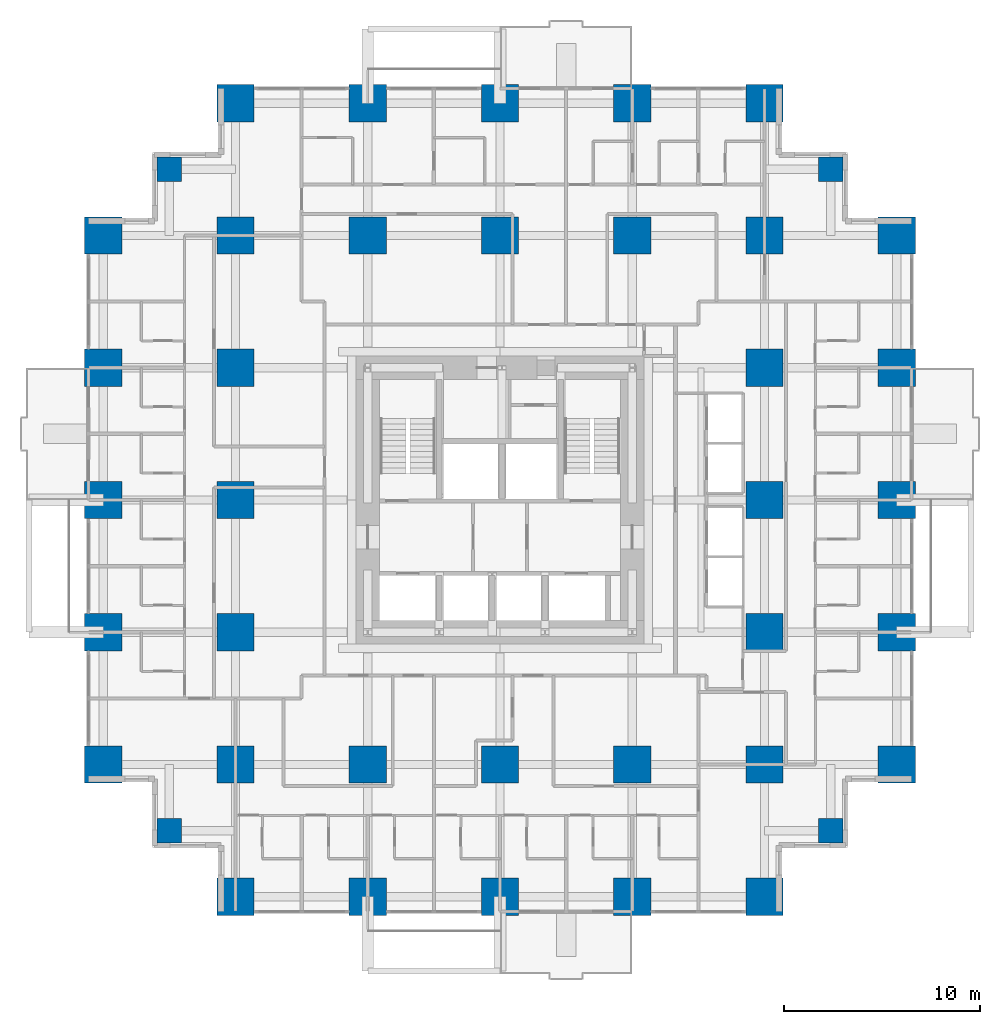
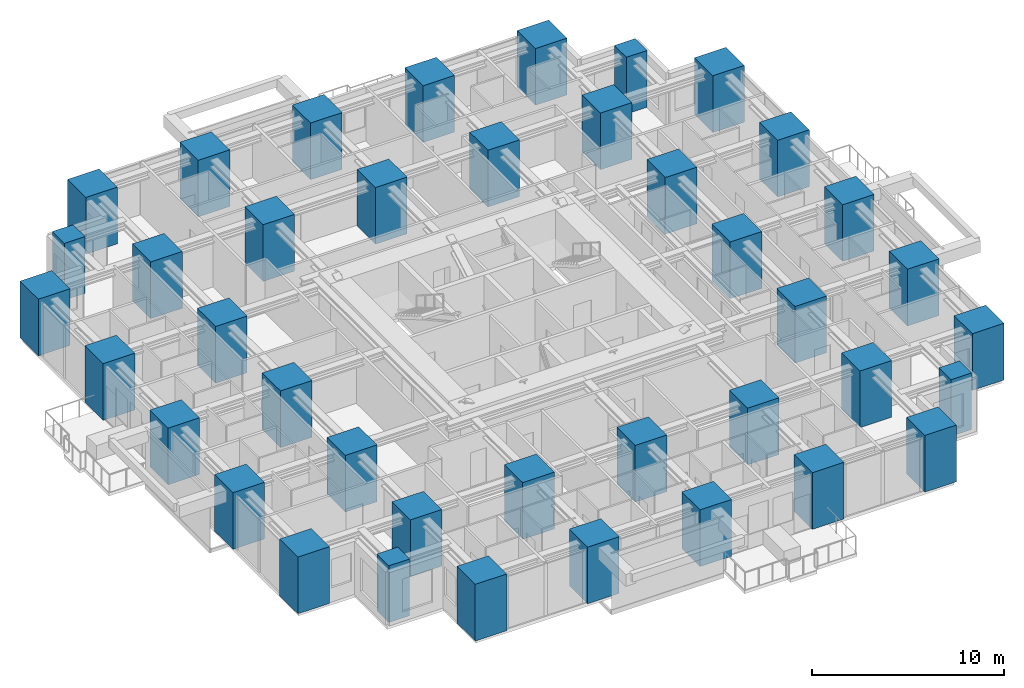
# One storey, part 1 of 15: 40 columns.
"""IFC4 building model written with IfcOpenShell, lengths in metres."""

from ifc_helpers import new_model, si_unit, direction, frame, origin, origin_2d, place, context, subcontext, project, spatial, rectangle, extrude, material, material_profile, profile_set, type_object, element, save


model = new_model("IFC4")

# Units and contexts
model_context = context("Model", 3, precision=1e-05, world=origin(), true_north=direction((0.0, 1.0)))
body_context = subcontext(model_context, "Body", "Model", "MODEL_VIEW")
ifc_project = project(units=[si_unit("LENGTHUNIT", "METRE"), si_unit("AREAUNIT", "SQUARE_METRE"), si_unit("VOLUMEUNIT", "CUBIC_METRE"), si_unit("PLANEANGLEUNIT", "RADIAN"), si_unit("MASSUNIT", "GRAM", prefix="KILO")], contexts=[model_context])

# Site, building, storey
site_placement = place(None, origin())
site = spatial("IfcSite", under=ifc_project, at=site_placement, CompositionType="ELEMENT")
building_placement = place(site_placement, origin())
building = spatial("IfcBuilding", under=site, at=building_placement, Name="Nyansa Garden Tower", CompositionType="ELEMENT")
storey_placement = place(building_placement, frame((0.0, 0.0, 36.0)))
storey = spatial("IfcBuildingStorey", under=building, at=storey_placement, Name="L09", CompositionType="ELEMENT", Elevation=36.0)

# Columns
ifc_material_1 = material(Name="Concrete C70/85", Category="concrete")
ifc_material_profile_1 = material_profile(ifc_material_1, rectangle(XDim=1.25, YDim=1.25, at=origin_2d()), Name="RC 1250x1250")
ifc_profile_set_1 = profile_set([ifc_material_profile_1], Name="Concrete C70/85")
column_type_1 = type_object("IfcColumnType", Name="Column C125 RC 1250x1250", PredefinedType="COLUMN", material=ifc_profile_set_1)
for number, where, z_axis, x_axis, name in (
    (1, (3.375, 3.375, 0.0), (0.0, 0.0, 1.0), (1.0, 0.0, 0.0), "Column x3.375/y3.375 L09"),
    (2, (3.375, 37.125, 0.0), (0.0, 0.0, 1.0), (1.0, 0.0, 0.0), "Column x3.375/y37.125 L09"),
    (3, (37.125, 3.375, 0.0), (0.0, 0.0, 1.0), (1.0, 0.0, 0.0), "Column x37.125/y3.375 L09"),
    (4, (37.125, 37.125, 0.0), (0.0, 0.0, 1.0), (1.0, 0.0, 0.0), "Column x37.125/y37.125 L09"),
):
    element("IfcColumn", number, at=place(storey_placement, frame(where, z_axis=z_axis, x_axis=x_axis)), inside=storey, type_object=column_type_1, Name=name, PredefinedType="COLUMN", context=body_context, shape_type="SweptSolid", body=[
        extrude(rectangle(XDim=1.25, YDim=1.25, at=origin_2d()), origin(), (0.0, 0.0, 1.0), 3.60009765625),
    ])
ifc_material_2 = material(Name="Concrete C80/95", Category="concrete")
ifc_material_profile_2 = material_profile(ifc_material_2, rectangle(XDim=1.89990234375, YDim=1.89990234375, at=origin_2d()), Name="RC 1900x1900")
ifc_profile_set_2 = profile_set([ifc_material_profile_2], Name="Concrete C80/95")
column_type_2 = type_object("IfcColumnType", Name="Column C190 RC 1900x1900", PredefinedType="COLUMN", material=ifc_profile_set_2)
for number, where, z_axis, x_axis, name in (
    (5, (0.0, 6.75, 0.0), (0.0, 0.0, 1.0), (1.0, 0.0, 0.0), "Column 2/E L09"),
    (6, (0.0, 13.5, 0.0), (0.0, 0.0, 1.0), (1.0, 0.0, 0.0), "Column 2/F L09"),
    (7, (0.0, 20.25, 0.0), (0.0, 0.0, 1.0), (1.0, 0.0, 0.0), "Column 2/G L09"),
    (8, (0.0, 27.0, 0.0), (0.0, 0.0, 1.0), (1.0, 0.0, 0.0), "Column 2/H L09"),
    (9, (0.0, 33.75, 0.0), (0.0, 0.0, 1.0), (1.0, 0.0, 0.0), "Column 2/J L09"),
    (10, (6.75, 0.0, 0.0), (0.0, 0.0, 1.0), (1.0, 0.0, 0.0), "Column 3/D L09"),
    (11, (6.75, 6.75, 0.0), (0.0, 0.0, 1.0), (1.0, 0.0, 0.0), "Column 3/E L09"),
    (12, (6.75, 13.5, 0.0), (0.0, 0.0, 1.0), (1.0, 0.0, 0.0), "Column 3/F L09"),
    (13, (6.75, 20.25, 0.0), (0.0, 0.0, 1.0), (1.0, 0.0, 0.0), "Column 3/G L09"),
    (14, (6.75, 27.0, 0.0), (0.0, 0.0, 1.0), (1.0, 0.0, 0.0), "Column 3/H L09"),
    (15, (6.75, 33.75, 0.0), (0.0, 0.0, 1.0), (1.0, 0.0, 0.0), "Column 3/J L09"),
    (16, (6.75, 40.5, 0.0), (0.0, 0.0, 1.0), (1.0, 0.0, 0.0), "Column 3/K L09"),
    (17, (13.5, 0.0, 0.0), (0.0, 0.0, 1.0), (1.0, 0.0, 0.0), "Column 4/D L09"),
    (18, (13.5, 6.75, 0.0), (0.0, 0.0, 1.0), (1.0, 0.0, 0.0), "Column 4/E L09"),
    (19, (13.5, 33.75, 0.0), (0.0, 0.0, 1.0), (1.0, 0.0, 0.0), "Column 4/J L09"),
    (20, (13.5, 40.5, 0.0), (0.0, 0.0, 1.0), (1.0, 0.0, 0.0), "Column 4/K L09"),
    (21, (20.25, 0.0, 0.0), (0.0, 0.0, 1.0), (1.0, 0.0, 0.0), "Column 5/D L09"),
    (22, (20.25, 6.75, 0.0), (0.0, 0.0, 1.0), (1.0, 0.0, 0.0), "Column 5/E L09"),
    (23, (20.25, 33.75, 0.0), (0.0, 0.0, 1.0), (1.0, 0.0, 0.0), "Column 5/J L09"),
    (24, (20.25, 40.5, 0.0), (0.0, 0.0, 1.0), (1.0, 0.0, 0.0), "Column 5/K L09"),
    (25, (27.0, 0.0, 0.0), (0.0, 0.0, 1.0), (1.0, 0.0, 0.0), "Column 6/D L09"),
    (26, (27.0, 6.75, 0.0), (0.0, 0.0, 1.0), (1.0, 0.0, 0.0), "Column 6/E L09"),
    (27, (27.0, 33.75, 0.0), (0.0, 0.0, 1.0), (1.0, 0.0, 0.0), "Column 6/J L09"),
    (28, (27.0, 40.5, 0.0), (0.0, 0.0, 1.0), (1.0, 0.0, 0.0), "Column 6/K L09"),
    (29, (33.75, 0.0, 0.0), (0.0, 0.0, 1.0), (1.0, 0.0, 0.0), "Column 7/D L09"),
    (30, (33.75, 6.75, 0.0), (0.0, 0.0, 1.0), (1.0, 0.0, 0.0), "Column 7/E L09"),
    (31, (33.75, 13.5, 0.0), (0.0, 0.0, 1.0), (1.0, 0.0, 0.0), "Column 7/F L09"),
    (32, (33.75, 20.25, 0.0), (0.0, 0.0, 1.0), (1.0, 0.0, 0.0), "Column 7/G L09"),
    (33, (33.75, 27.0, 0.0), (0.0, 0.0, 1.0), (1.0, 0.0, 0.0), "Column 7/H L09"),
    (34, (33.75, 33.75, 0.0), (0.0, 0.0, 1.0), (1.0, 0.0, 0.0), "Column 7/J L09"),
    (35, (33.75, 40.5, 0.0), (0.0, 0.0, 1.0), (1.0, 0.0, 0.0), "Column 7/K L09"),
    (36, (40.5, 6.75, 0.0), (0.0, 0.0, 1.0), (1.0, 0.0, 0.0), "Column 8/E L09"),
    (37, (40.5, 13.5, 0.0), (0.0, 0.0, 1.0), (1.0, 0.0, 0.0), "Column 8/F L09"),
    (38, (40.5, 20.25, 0.0), (0.0, 0.0, 1.0), (1.0, 0.0, 0.0), "Column 8/G L09"),
    (39, (40.5, 27.0, 0.0), (0.0, 0.0, 1.0), (1.0, 0.0, 0.0), "Column 8/H L09"),
    (40, (40.5, 33.75, 0.0), (0.0, 0.0, 1.0), (1.0, 0.0, 0.0), "Column 8/J L09"),
):
    element("IfcColumn", number, at=place(storey_placement, frame(where, z_axis=z_axis, x_axis=x_axis)), inside=storey, type_object=column_type_2, Name=name, PredefinedType="COLUMN", context=body_context, shape_type="SweptSolid", body=[
        extrude(rectangle(XDim=1.89990234375, YDim=1.89990234375, at=origin_2d()), origin(), (0.0, 0.0, 1.0), 3.60009765625),
    ])

save(model, "model.ifc")
